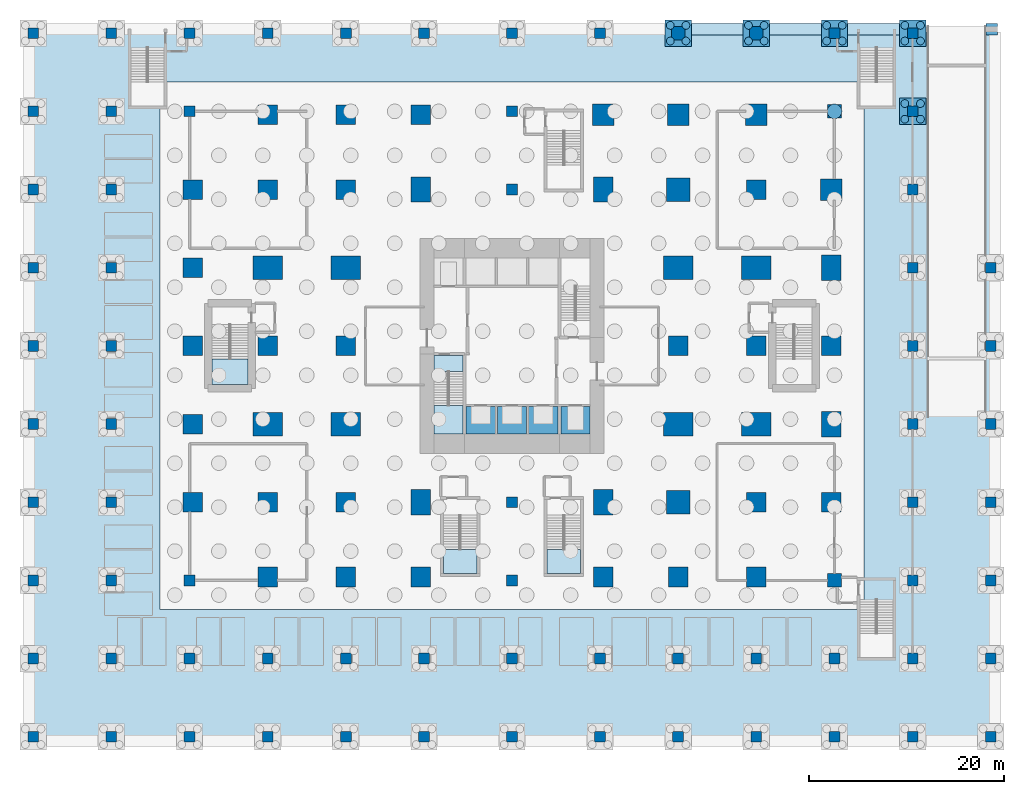
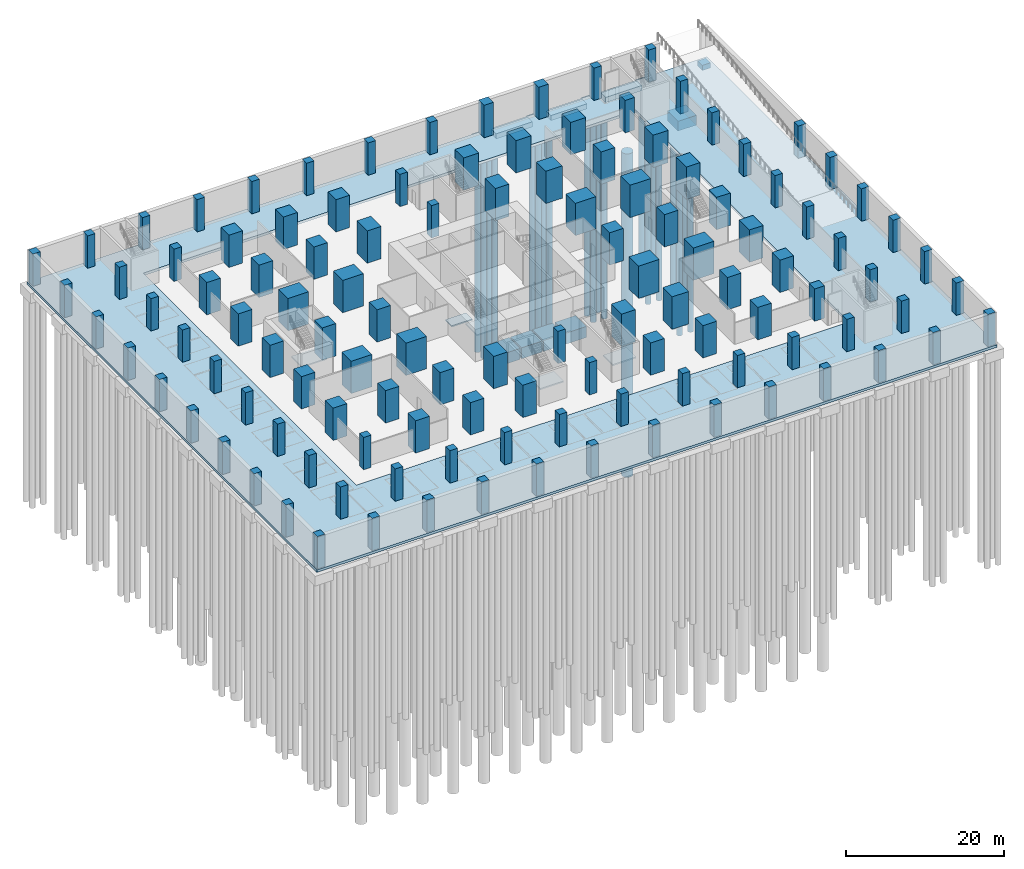
# One storey, part 3 of 17: 118 columns, 21 piles, 10 slabs, 9 footings, 4 elements without a shape of their own.
"""IFC4 building model written with IfcOpenShell, lengths in metres."""

from ifc_helpers import new_model, si_unit, direction, frame, frame_2d, origin, origin_2d, place, context, subcontext, project, spatial, polyline, rectangle, circle, outline, extrude, material, layer, layer_set, material_profile, profile_set, type_object, element, aggregate, save


model = new_model("IFC4")

# Units and contexts
model_context = context("Model", 3, precision=1e-05, world=origin(), true_north=direction((0.0, 1.0)))
body_context = subcontext(model_context, "Body", "Model", "MODEL_VIEW")
ifc_project = project(units=[si_unit("LENGTHUNIT", "METRE"), si_unit("AREAUNIT", "SQUARE_METRE"), si_unit("VOLUMEUNIT", "CUBIC_METRE"), si_unit("PLANEANGLEUNIT", "RADIAN"), si_unit("MASSUNIT", "GRAM", prefix="KILO")], contexts=[model_context])

# Site, building, storey
site_placement = place(None, origin())
site = spatial("IfcSite", under=ifc_project, at=site_placement, CompositionType="ELEMENT")
building_placement = place(site_placement, origin())
building = spatial("IfcBuilding", under=site, at=building_placement, Name="Cleftline Residences", CompositionType="ELEMENT")
storey_placement = place(building_placement, frame((0.0, 0.0, -5.0)))
storey = spatial("IfcBuildingStorey", under=building, at=storey_placement, Name="L-01", CompositionType="ELEMENT", Elevation=-5.0)

# Piles
ifc_material_1 = material(Name="Concrete B40", Category="concrete")
ifc_material_profile_1 = material_profile(ifc_material_1, circle(Radius=0.75, at=origin_2d()))
ifc_profile_set_1 = profile_set([ifc_material_profile_1], Name="Concrete B40")
pile_type_1 = type_object("IfcPileType", Name="BORED PILE 1500", PredefinedType="BORED", material=ifc_profile_set_1)
pile_placement = place(storey_placement, frame((66.0, 48.0, -3.39990234375), z_axis=(0.0, 0.0, -1.0), x_axis=(1.0, 0.0, 0.0)))
element("IfcPile", 1, at=pile_placement, inside=storey, type_object=pile_type_1, Name="Raft pile", PredefinedType="BORED", context=body_context, shape_type="SweptSolid", body=[
    extrude(circle(Radius=0.75, at=origin_2d()), origin(), (0.0, 0.0, 1.0), 50.0),
])
ifc_material_2 = material(Name="Concrete B40", Category="concrete")
ifc_material_profile_2 = material_profile(ifc_material_2, circle(Radius=0.39990234375, at=origin_2d()))
ifc_profile_set_2 = profile_set([ifc_material_profile_2], Name="Concrete B40")
pile_type_2 = type_object("IfcPileType", Name="BORED PILE 800", PredefinedType="BORED", material=ifc_profile_set_2)
for number, where, z_axis, x_axis, name in (
    (2, (49.199951171875, 55.199951171875, -1.800048828125), (0.0, 0.0, -1.0), (1.0, 0.0, 0.0), "Cap pile"),
    (3, (50.800048828125, 55.199951171875, -1.800048828125), (0.0, 0.0, -1.0), (1.0, 0.0, 0.0), "Cap pile"),
    (4, (49.199951171875, 56.800048828125, -1.800048828125), (0.0, 0.0, -1.0), (1.0, 0.0, 0.0), "Cap pile"),
    (5, (50.800048828125, 56.800048828125, -1.800048828125), (0.0, 0.0, -1.0), (1.0, 0.0, 0.0), "Cap pile"),
    (6, (57.199951171875, 55.199951171875, -1.800048828125), (0.0, 0.0, -1.0), (1.0, 0.0, 0.0), "Cap pile"),
    (7, (58.800048828125, 55.199951171875, -1.800048828125), (0.0, 0.0, -1.0), (1.0, 0.0, 0.0), "Cap pile"),
    (8, (57.199951171875, 56.800048828125, -1.800048828125), (0.0, 0.0, -1.0), (1.0, 0.0, 0.0), "Cap pile"),
    (9, (58.800048828125, 56.800048828125, -1.800048828125), (0.0, 0.0, -1.0), (1.0, 0.0, 0.0), "Cap pile"),
    (10, (65.199951171875, 55.199951171875, -1.800048828125), (0.0, 0.0, -1.0), (1.0, 0.0, 0.0), "Cap pile"),
    (11, (66.800048828125, 55.199951171875, -1.800048828125), (0.0, 0.0, -1.0), (1.0, 0.0, 0.0), "Cap pile"),
    (12, (65.199951171875, 56.800048828125, -1.800048828125), (0.0, 0.0, -1.0), (1.0, 0.0, 0.0), "Cap pile"),
    (13, (66.800048828125, 56.800048828125, -1.800048828125), (0.0, 0.0, -1.0), (1.0, 0.0, 0.0), "Cap pile"),
    (14, (73.199951171875, 47.199951171875, -1.800048828125), (0.0, 0.0, -1.0), (1.0, 0.0, 0.0), "Cap pile"),
    (15, (74.800048828125, 47.199951171875, -1.800048828125), (0.0, 0.0, -1.0), (1.0, 0.0, 0.0), "Cap pile"),
    (16, (73.199951171875, 48.800048828125, -1.800048828125), (0.0, 0.0, -1.0), (1.0, 0.0, 0.0), "Cap pile"),
    (17, (74.800048828125, 48.800048828125, -1.800048828125), (0.0, 0.0, -1.0), (1.0, 0.0, 0.0), "Cap pile"),
    (18, (73.199951171875, 55.199951171875, -1.800048828125), (0.0, 0.0, -1.0), (1.0, 0.0, 0.0), "Cap pile"),
    (19, (74.800048828125, 55.199951171875, -1.800048828125), (0.0, 0.0, -1.0), (1.0, 0.0, 0.0), "Cap pile"),
    (20, (73.199951171875, 56.800048828125, -1.800048828125), (0.0, 0.0, -1.0), (1.0, 0.0, 0.0), "Cap pile"),
    (21, (74.800048828125, 56.800048828125, -1.800048828125), (0.0, 0.0, -1.0), (1.0, 0.0, 0.0), "Cap pile"),
):
    element("IfcPile", number, at=place(storey_placement, frame(where, z_axis=z_axis, x_axis=x_axis)), inside=storey, type_object=pile_type_2, Name=name, PredefinedType="BORED", context=body_context, shape_type="SweptSolid", body=[
        extrude(circle(Radius=0.39990234375, at=origin_2d()), origin(), (0.0, 0.0, 1.0), 32.0),
    ])

# Footings
ifc_material_3 = material(Name="Concrete B40", Category="concrete")
footing_type_1 = type_object("IfcFootingType", Name="PILE CAP 2700", PredefinedType="PILE_CAP", material=ifc_material_3)
for number, where, z_axis, x_axis, name in (
    (22, (50.0, 56.0, -1.89990234375), (0.0, 0.0, 1.0), (1.0, 0.0, 0.0), "Pile cap"),
    (23, (58.0, 56.0, -1.89990234375), (0.0, 0.0, 1.0), (1.0, 0.0, 0.0), "Pile cap"),
    (24, (66.0, 56.0, -1.89990234375), (0.0, 0.0, 1.0), (1.0, 0.0, 0.0), "Pile cap"),
    (25, (74.0, 48.0, -1.89990234375), (0.0, 0.0, 1.0), (1.0, 0.0, 0.0), "Pile cap"),
    (26, (74.0, 56.0, -1.89990234375), (0.0, 0.0, 1.0), (1.0, 0.0, 0.0), "Pile cap"),
):
    element("IfcFooting", number, at=place(storey_placement, frame(where, z_axis=z_axis, x_axis=x_axis)), inside=storey, type_object=footing_type_1, Name=name, PredefinedType="PILE_CAP", context=body_context, shape_type="SweptSolid", body=[
        extrude(rectangle(XDim=2.699951171875, YDim=2.699951171875, at=origin_2d()), origin(), (0.0, 0.0, 1.0), 1.5),
    ])
ifc_material_4 = material(Name="Concrete B40", Category="concrete")
footing_type_2 = type_object("IfcFootingType", Name="STRIP FOOTING 1200", PredefinedType="STRIP_FOOTING", material=ifc_material_4)
for number, where, z_axis, x_axis, name in (
    (27, (51.35009765625, 56.39990234375, -1.199951171875), (0.0, 0.0, 1.0), (1.0, 0.0, 0.0), "Strip footing under retaining wall"),
    (28, (59.35009765625, 56.39990234375, -1.199951171875), (0.0, 0.0, 1.0), (1.0, 0.0, 0.0), "Strip footing under retaining wall"),
    (29, (67.35009765625, 56.39990234375, -1.199951171875), (0.0, 0.0, 1.0), (1.0, 0.0, 0.0), "Strip footing under retaining wall"),
):
    element("IfcFooting", number, at=place(storey_placement, frame(where, z_axis=z_axis, x_axis=x_axis)), inside=storey, type_object=footing_type_2, Name=name, PredefinedType="STRIP_FOOTING", context=body_context, shape_type="SweptSolid", body=[
        extrude(rectangle(XDim=5.2998046875, YDim=1.199951171875, at=frame_2d((2.64990234375, 0.0))), origin(), (0.0, 0.0, 1.0), 0.800048828125),
    ])
footing_placement = place(storey_placement, frame((81.5, 56.39990234375, -1.199951171875), z_axis=(0.0, 0.0, 1.0), x_axis=(1.0, 0.0, 0.0)))
element("IfcFooting", 30, at=footing_placement, inside=storey, type_object=footing_type_2, Name="Strip footing under retaining wall", PredefinedType="STRIP_FOOTING", context=body_context, shape_type="SweptSolid", body=[
    extrude(rectangle(XDim=1.199951171875, YDim=1.199951171875, at=frame_2d((0.60009765625, 0.0))), origin(), (0.0, 0.0, 1.0), 0.800048828125),
])

# Columns
ifc_material_5 = material(Name="Concrete B70", Category="concrete")
ifc_material_profile_3 = material_profile(ifc_material_5, rectangle(XDim=1.10009765625, YDim=1.10009765625, at=origin_2d()))
ifc_profile_set_3 = profile_set([ifc_material_profile_3], Name="Concrete B70")
column_type_1 = type_object("IfcColumnType", Name="COLUMN RC1100X1100", PredefinedType="COLUMN", material=ifc_profile_set_3)
for number, where, z_axis, x_axis, name in (
    (31, (-16.0, -16.0, -0.39990234375), (0.0, 0.0, 1.0), (1.0, 0.0, 0.0), "Column A/1"),
    (32, (-16.0, -8.0, -0.39990234375), (0.0, 0.0, 1.0), (1.0, 0.0, 0.0), "Column B/1"),
    (33, (-16.0, 0.0, -0.39990234375), (0.0, 0.0, 1.0), (1.0, 0.0, 0.0), "Column C/1"),
    (34, (-16.0, 8.0, -0.39990234375), (0.0, 0.0, 1.0), (1.0, 0.0, 0.0), "Column D/1"),
    (35, (-16.0, 16.0, -0.39990234375), (0.0, 0.0, 1.0), (1.0, 0.0, 0.0), "Column E/1"),
    (36, (-16.0, 24.0, -0.39990234375), (0.0, 0.0, 1.0), (1.0, 0.0, 0.0), "Column F/1"),
    (37, (-16.0, 32.0, -0.39990234375), (0.0, 0.0, 1.0), (1.0, 0.0, 0.0), "Column G/1"),
    (38, (-16.0, 40.0, -0.39990234375), (0.0, 0.0, 1.0), (1.0, 0.0, 0.0), "Column H/1"),
    (39, (-16.0, 48.0, -0.39990234375), (0.0, 0.0, 1.0), (1.0, 0.0, 0.0), "Column J/1"),
    (40, (-16.0, 56.0, -0.39990234375), (0.0, 0.0, 1.0), (1.0, 0.0, 0.0), "Column K/1"),
    (41, (-8.0, -16.0, -0.39990234375), (0.0, 0.0, 1.0), (1.0, 0.0, 0.0), "Column A/2"),
    (42, (-8.0, -8.0, -0.39990234375), (0.0, 0.0, 1.0), (1.0, 0.0, 0.0), "Column B/2"),
    (43, (-8.0, 0.0, -0.39990234375), (0.0, 0.0, 1.0), (1.0, 0.0, 0.0), "Column C/2"),
    (44, (-8.0, 8.0, -0.39990234375), (0.0, 0.0, 1.0), (1.0, 0.0, 0.0), "Column D/2"),
    (45, (-8.0, 16.0, -0.39990234375), (0.0, 0.0, 1.0), (1.0, 0.0, 0.0), "Column E/2"),
    (46, (-8.0, 24.0, -0.39990234375), (0.0, 0.0, 1.0), (1.0, 0.0, 0.0), "Column F/2"),
    (47, (-8.0, 32.0, -0.39990234375), (0.0, 0.0, 1.0), (1.0, 0.0, 0.0), "Column G/2"),
    (48, (-8.0, 40.0, -0.39990234375), (0.0, 0.0, 1.0), (1.0, 0.0, 0.0), "Column H/2"),
    (49, (-8.0, 48.0, -0.39990234375), (0.0, 0.0, 1.0), (1.0, 0.0, 0.0), "Column J/2"),
    (50, (-8.0, 56.0, -0.39990234375), (0.0, 0.0, 1.0), (1.0, 0.0, 0.0), "Column K/2"),
    (51, (0.0, -16.0, -0.39990234375), (0.0, 0.0, 1.0), (1.0, 0.0, 0.0), "Column A/3"),
    (52, (0.0, -8.0, -0.39990234375), (0.0, 0.0, 1.0), (1.0, 0.0, 0.0), "Column B/3"),
):
    element("IfcColumn", number, at=place(storey_placement, frame(where, z_axis=z_axis, x_axis=x_axis)), inside=storey, type_object=column_type_1, Name=name, PredefinedType="COLUMN", context=body_context, shape_type="SweptSolid", body=[
        extrude(rectangle(XDim=1.10009765625, YDim=1.10009765625, at=origin_2d()), origin(), (0.0, 0.0, 1.0), 5.39990234375),
    ])
for number, where, z_axis, x_axis, name in (
    (53, (0.0, 0.0, 0.0), (0.0, 0.0, 1.0), (1.0, 0.0, 0.0), "Column C/3"),
    (54, (0.0, 48.0, 0.0), (0.0, 0.0, 1.0), (1.0, 0.0, 0.0), "Column J/3"),
):
    element("IfcColumn", number, at=place(storey_placement, frame(where, z_axis=z_axis, x_axis=x_axis)), inside=storey, type_object=column_type_1, Name=name, PredefinedType="COLUMN", context=body_context, shape_type="SweptSolid", body=[
        extrude(rectangle(XDim=1.10009765625, YDim=1.10009765625, at=origin_2d()), origin(), (0.0, 0.0, 1.0), 5.0),
    ])
for number, where, z_axis, x_axis, name in (
    (55, (0.0, 56.0, -0.39990234375), (0.0, 0.0, 1.0), (1.0, 0.0, 0.0), "Column K/3"),
    (56, (8.0, -16.0, -0.39990234375), (0.0, 0.0, 1.0), (1.0, 0.0, 0.0), "Column A/4"),
    (57, (8.0, -8.0, -0.39990234375), (0.0, 0.0, 1.0), (1.0, 0.0, 0.0), "Column B/4"),
    (58, (8.0, 56.0, -0.39990234375), (0.0, 0.0, 1.0), (1.0, 0.0, 0.0), "Column K/4"),
    (59, (16.0, -16.0, -0.39990234375), (0.0, 0.0, 1.0), (1.0, 0.0, 0.0), "Column A/5"),
    (60, (16.0, -8.0, -0.39990234375), (0.0, 0.0, 1.0), (1.0, 0.0, 0.0), "Column B/5"),
    (61, (16.0, 56.0, -0.39990234375), (0.0, 0.0, 1.0), (1.0, 0.0, 0.0), "Column K/5"),
    (62, (24.0, -16.0, -0.39990234375), (0.0, 0.0, 1.0), (1.0, 0.0, 0.0), "Column A/6"),
    (63, (24.0, -8.0, -0.39990234375), (0.0, 0.0, 1.0), (1.0, 0.0, 0.0), "Column B/6"),
    (64, (24.0, 56.0, -0.39990234375), (0.0, 0.0, 1.0), (1.0, 0.0, 0.0), "Column K/6"),
    (65, (33.0, -16.0, -0.39990234375), (0.0, 0.0, 1.0), (1.0, 0.0, 0.0), "Column A/7"),
    (66, (33.0, -8.0, -0.39990234375), (0.0, 0.0, 1.0), (1.0, 0.0, 0.0), "Column B/7"),
):
    element("IfcColumn", number, at=place(storey_placement, frame(where, z_axis=z_axis, x_axis=x_axis)), inside=storey, type_object=column_type_1, Name=name, PredefinedType="COLUMN", context=body_context, shape_type="SweptSolid", body=[
        extrude(rectangle(XDim=1.10009765625, YDim=1.10009765625, at=origin_2d()), origin(), (0.0, 0.0, 1.0), 5.39990234375),
    ])
for number, where, z_axis, x_axis, name in (
    (67, (33.0, 0.0, 0.0), (0.0, 0.0, 1.0), (1.0, 0.0, 0.0), "Column C/7"),
    (68, (33.0, 8.0, 0.0), (0.0, 0.0, 1.0), (1.0, 0.0, 0.0), "Column D/7"),
    (69, (33.0, 40.0, 0.0), (0.0, 0.0, 1.0), (1.0, 0.0, 0.0), "Column H/7"),
    (70, (33.0, 48.0, 0.0), (0.0, 0.0, 1.0), (1.0, 0.0, 0.0), "Column J/7"),
):
    element("IfcColumn", number, at=place(storey_placement, frame(where, z_axis=z_axis, x_axis=x_axis)), inside=storey, type_object=column_type_1, Name=name, PredefinedType="COLUMN", context=body_context, shape_type="SweptSolid", body=[
        extrude(rectangle(XDim=1.10009765625, YDim=1.10009765625, at=origin_2d()), origin(), (0.0, 0.0, 1.0), 5.0),
    ])
for number, where, z_axis, x_axis, name in (
    (71, (33.0, 56.0, -0.39990234375), (0.0, 0.0, 1.0), (1.0, 0.0, 0.0), "Column K/7"),
    (72, (42.0, -16.0, -0.39990234375), (0.0, 0.0, 1.0), (1.0, 0.0, 0.0), "Column A/8"),
    (73, (42.0, -8.0, -0.39990234375), (0.0, 0.0, 1.0), (1.0, 0.0, 0.0), "Column B/8"),
    (74, (42.0, 56.0, -0.39990234375), (0.0, 0.0, 1.0), (1.0, 0.0, 0.0), "Column K/8"),
    (75, (50.0, -16.0, -0.39990234375), (0.0, 0.0, 1.0), (1.0, 0.0, 0.0), "Column A/9"),
    (76, (50.0, -8.0, -0.39990234375), (0.0, 0.0, 1.0), (1.0, 0.0, 0.0), "Column B/9"),
    (77, (58.0, -16.0, -0.39990234375), (0.0, 0.0, 1.0), (1.0, 0.0, 0.0), "Column A/10"),
    (78, (58.0, -8.0, -0.39990234375), (0.0, 0.0, 1.0), (1.0, 0.0, 0.0), "Column B/10"),
    (79, (66.0, -16.0, -0.39990234375), (0.0, 0.0, 1.0), (1.0, 0.0, 0.0), "Column A/11"),
    (80, (66.0, -8.0, -0.39990234375), (0.0, 0.0, 1.0), (1.0, 0.0, 0.0), "Column B/11"),
    (81, (66.0, 56.0, -0.39990234375), (0.0, 0.0, 1.0), (1.0, 0.0, 0.0), "Column K/11"),
    (82, (74.0, -16.0, -0.39990234375), (0.0, 0.0, 1.0), (1.0, 0.0, 0.0), "Column A/12"),
    (83, (74.0, -8.0, -0.39990234375), (0.0, 0.0, 1.0), (1.0, 0.0, 0.0), "Column B/12"),
    (84, (74.0, 0.0, -0.39990234375), (0.0, 0.0, 1.0), (1.0, 0.0, 0.0), "Column C/12"),
    (85, (74.0, 8.0, -0.39990234375), (0.0, 0.0, 1.0), (1.0, 0.0, 0.0), "Column D/12"),
    (86, (74.0, 16.0, -0.39990234375), (0.0, 0.0, 1.0), (1.0, 0.0, 0.0), "Column E/12"),
    (87, (74.0, 24.0, -0.39990234375), (0.0, 0.0, 1.0), (1.0, 0.0, 0.0), "Column F/12"),
    (88, (74.0, 32.0, -0.39990234375), (0.0, 0.0, 1.0), (1.0, 0.0, 0.0), "Column G/12"),
    (89, (74.0, 40.0, -0.39990234375), (0.0, 0.0, 1.0), (1.0, 0.0, 0.0), "Column H/12"),
    (90, (74.0, 48.0, -0.39990234375), (0.0, 0.0, 1.0), (1.0, 0.0, 0.0), "Column J/12"),
    (91, (74.0, 56.0, -0.39990234375), (0.0, 0.0, 1.0), (1.0, 0.0, 0.0), "Column K/12"),
    (92, (82.0, -16.0, -0.39990234375), (0.0, 0.0, 1.0), (1.0, 0.0, 0.0), "Column A/13"),
    (93, (82.0, -8.0, -0.39990234375), (0.0, 0.0, 1.0), (1.0, 0.0, 0.0), "Column B/13"),
    (94, (82.0, 0.0, -0.39990234375), (0.0, 0.0, 1.0), (1.0, 0.0, 0.0), "Column C/13"),
    (95, (82.0, 8.0, -0.39990234375), (0.0, 0.0, 1.0), (1.0, 0.0, 0.0), "Column D/13"),
    (96, (82.0, 16.0, -0.39990234375), (0.0, 0.0, 1.0), (1.0, 0.0, 0.0), "Column E/13"),
    (97, (82.0, 24.0, -0.39990234375), (0.0, 0.0, 1.0), (1.0, 0.0, 0.0), "Column F/13"),
    (98, (82.0, 32.0, -0.39990234375), (0.0, 0.0, 1.0), (1.0, 0.0, 0.0), "Column G/13"),
):
    element("IfcColumn", number, at=place(storey_placement, frame(where, z_axis=z_axis, x_axis=x_axis)), inside=storey, type_object=column_type_1, Name=name, PredefinedType="COLUMN", context=body_context, shape_type="SweptSolid", body=[
        extrude(rectangle(XDim=1.10009765625, YDim=1.10009765625, at=origin_2d()), origin(), (0.0, 0.0, 1.0), 5.39990234375),
    ])
ifc_material_6 = material(Name="Concrete B70", Category="concrete")
ifc_material_profile_4 = material_profile(ifc_material_6, rectangle(XDim=1.39990234375, YDim=1.39990234375, at=origin_2d()))
ifc_profile_set_4 = profile_set([ifc_material_profile_4], Name="Concrete B70")
column_type_2 = type_object("IfcColumnType", Name="COLUMN RC1400X1400", PredefinedType="COLUMN", material=ifc_profile_set_4)
for number, where, z_axis, x_axis, name in (
    (99, (50.0, 56.0, -0.39990234375), (0.0, 0.0, 1.0), (1.0, 0.0, 0.0), "Column K/9"),
    (100, (58.0, 56.0, -0.39990234375), (0.0, 0.0, 1.0), (1.0, 0.0, 0.0), "Column K/10"),
):
    element("IfcColumn", number, at=place(storey_placement, frame(where, z_axis=z_axis, x_axis=x_axis)), inside=storey, type_object=column_type_2, Name=name, PredefinedType="COLUMN", context=body_context, shape_type="SweptSolid", body=[
        extrude(rectangle(XDim=1.39990234375, YDim=1.39990234375, at=origin_2d()), origin(), (0.0, 0.0, 1.0), 5.39990234375),
    ])
for number, where, z_axis, x_axis, name in (
    (101, (66.0, 0.0, 0.0), (0.0, 0.0, 1.0), (1.0, 0.0, 0.0), "Column C/11"),
    (102, (66.0, 48.0, 0.0), (0.0, 0.0, 1.0), (1.0, 0.0, 0.0), "Column J/11"),
):
    element("IfcColumn", number, at=place(storey_placement, frame(where, z_axis=z_axis, x_axis=x_axis)), inside=storey, type_object=column_type_2, Name=name, PredefinedType="COLUMN", context=body_context, shape_type="SweptSolid", body=[
        extrude(rectangle(XDim=1.39990234375, YDim=1.39990234375, at=origin_2d()), origin(), (0.0, 0.0, 1.0), 5.0),
    ])
ifc_material_7 = material(Name="Concrete B70", Category="concrete")
ifc_material_profile_5 = material_profile(ifc_material_7, rectangle(XDim=2.0, YDim=2.0, at=origin_2d()))
ifc_profile_set_5 = profile_set([ifc_material_profile_5], Name="Concrete B70")
column_type_3 = type_object("IfcColumnType", Name="COLUMN RC2000X2000", PredefinedType="COLUMN", material=ifc_profile_set_5)
for number, where, z_axis, x_axis, name in (
    (103, (0.35009765625, 8.0, 0.0), (0.0, 0.0, 1.0), (1.0, 0.0, 0.0), "Column D/3"),
    (104, (0.35009765625, 16.0, 0.0), (0.0, 0.0, 1.0), (1.0, 0.0, 0.0), "Column E/3"),
    (105, (0.35009765625, 24.0, 0.0), (0.0, 0.0, 1.0), (1.0, 0.0, 0.0), "Column F/3"),
    (106, (0.35009765625, 32.0, 0.0), (0.0, 0.0, 1.0), (1.0, 0.0, 0.0), "Column G/3"),
    (107, (0.35009765625, 40.0, 0.0), (0.0, 0.0, 1.0), (1.0, 0.0, 0.0), "Column H/3"),
    (108, (8.0, 0.35009765625, 0.0), (0.0, 0.0, 1.0), (1.0, 0.0, 0.0), "Column C/4"),
    (109, (8.0, 8.0, 0.0), (0.0, 0.0, 1.0), (1.0, 0.0, 0.0), "Column D/4"),
    (110, (8.0, 24.0, 0.0), (0.0, 0.0, 1.0), (1.0, 0.0, 0.0), "Column F/4"),
    (111, (8.0, 40.0, 0.0), (0.0, 0.0, 1.0), (1.0, 0.0, 0.0), "Column H/4"),
    (112, (8.0, 47.64990234375, 0.0), (0.0, 0.0, 1.0), (1.0, 0.0, 0.0), "Column J/4"),
    (113, (16.0, 0.35009765625, 0.0), (0.0, 0.0, 1.0), (1.0, 0.0, 0.0), "Column C/5"),
    (114, (16.0, 8.0, 0.0), (0.0, 0.0, 1.0), (1.0, 0.0, 0.0), "Column D/5"),
    (115, (16.0, 24.0, 0.0), (0.0, 0.0, 1.0), (1.0, 0.0, 0.0), "Column F/5"),
    (116, (16.0, 40.0, 0.0), (0.0, 0.0, 1.0), (1.0, 0.0, 0.0), "Column H/5"),
    (117, (16.0, 47.64990234375, 0.0), (0.0, 0.0, 1.0), (1.0, 0.0, 0.0), "Column J/5"),
    (118, (23.64990234375, 0.35009765625, 0.0), (0.0, 0.0, 1.0), (1.0, 0.0, 0.0), "Column C/6"),
    (119, (23.64990234375, 47.64990234375, 0.0), (0.0, 0.0, 1.0), (1.0, 0.0, 0.0), "Column J/6"),
    (120, (42.35009765625, 0.35009765625, 0.0), (0.0, 0.0, 1.0), (1.0, 0.0, 0.0), "Column C/8"),
    (121, (50.0, 0.35009765625, 0.0), (0.0, 0.0, 1.0), (1.0, 0.0, 0.0), "Column C/9"),
    (122, (50.0, 24.0, 0.0), (0.0, 0.0, 1.0), (1.0, 0.0, 0.0), "Column F/9"),
    (123, (58.0, 0.35009765625, 0.0), (0.0, 0.0, 1.0), (1.0, 0.0, 0.0), "Column C/10"),
    (124, (58.0, 8.0, 0.0), (0.0, 0.0, 1.0), (1.0, 0.0, 0.0), "Column D/10"),
    (125, (58.0, 24.0, 0.0), (0.0, 0.0, 1.0), (1.0, 0.0, 0.0), "Column F/10"),
    (126, (58.0, 40.0, 0.0), (0.0, 0.0, 1.0), (1.0, 0.0, 0.0), "Column H/10"),
    (127, (65.64990234375, 8.0, 0.0), (0.0, 0.0, 1.0), (1.0, 0.0, 0.0), "Column D/11"),
    (128, (65.64990234375, 24.0, 0.0), (0.0, 0.0, 1.0), (1.0, 0.0, 0.0), "Column F/11"),
):
    element("IfcColumn", number, at=place(storey_placement, frame(where, z_axis=z_axis, x_axis=x_axis)), inside=storey, type_object=column_type_3, Name=name, PredefinedType="COLUMN", context=body_context, shape_type="SweptSolid", body=[
        extrude(rectangle(XDim=2.0, YDim=2.0, at=origin_2d()), origin(), (0.0, 0.0, 1.0), 5.0),
    ])
ifc_material_8 = material(Name="Concrete B70", Category="concrete")
ifc_material_profile_6 = material_profile(ifc_material_8, rectangle(XDim=2.0, YDim=2.60009765625, at=origin_2d()))
ifc_profile_set_6 = profile_set([ifc_material_profile_6], Name="Concrete B70")
column_type_4 = type_object("IfcColumnType", Name="COLUMN RC2000X2600", PredefinedType="COLUMN", material=ifc_profile_set_6)
for number, where, z_axis, x_axis, name in (
    (129, (23.64990234375, 8.0, 0.0), (0.0, 0.0, 1.0), (1.0, 0.0, 0.0), "Column D/6"),
    (130, (23.64990234375, 40.0, 0.0), (0.0, 0.0, 1.0), (1.0, 0.0, 0.0), "Column H/6"),
    (131, (42.35009765625, 8.0, 0.0), (0.0, 0.0, 1.0), (1.0, 0.0, 0.0), "Column D/8"),
    (132, (42.35009765625, 40.0, 0.0), (0.0, 0.0, 1.0), (1.0, 0.0, 0.0), "Column H/8"),
):
    element("IfcColumn", number, at=place(storey_placement, frame(where, z_axis=z_axis, x_axis=x_axis)), inside=storey, type_object=column_type_4, Name=name, PredefinedType="COLUMN", context=body_context, shape_type="SweptSolid", body=[
        extrude(rectangle(XDim=2.0, YDim=2.60009765625, at=origin_2d()), origin(), (0.0, 0.0, 1.0), 5.0),
    ])
ifc_material_9 = material(Name="Concrete B70", Category="concrete")
ifc_material_profile_7 = material_profile(ifc_material_9, rectangle(XDim=2.199951171875, YDim=2.199951171875, at=origin_2d()))
ifc_profile_set_7 = profile_set([ifc_material_profile_7], Name="Concrete B70")
column_type_5 = type_object("IfcColumnType", Name="COLUMN RC2200X2200", PredefinedType="COLUMN", material=ifc_profile_set_7)
for number, where, z_axis, x_axis, name in (
    (133, (42.35009765625, 47.64990234375, 0.0), (0.0, 0.0, 1.0), (1.0, 0.0, 0.0), "Column J/8"),
    (134, (50.0, 47.64990234375, 0.0), (0.0, 0.0, 1.0), (1.0, 0.0, 0.0), "Column J/9"),
    (135, (58.0, 47.64990234375, 0.0), (0.0, 0.0, 1.0), (1.0, 0.0, 0.0), "Column J/10"),
    (136, (65.64990234375, 40.0, 0.0), (0.0, 0.0, 1.0), (1.0, 0.0, 0.0), "Column H/11"),
):
    element("IfcColumn", number, at=place(storey_placement, frame(where, z_axis=z_axis, x_axis=x_axis)), inside=storey, type_object=column_type_5, Name=name, PredefinedType="COLUMN", context=body_context, shape_type="SweptSolid", body=[
        extrude(rectangle(XDim=2.199951171875, YDim=2.199951171875, at=origin_2d()), origin(), (0.0, 0.0, 1.0), 5.0),
    ])
ifc_material_10 = material(Name="Concrete B70", Category="concrete")
ifc_material_profile_8 = material_profile(ifc_material_10, rectangle(XDim=2.39990234375, YDim=2.39990234375, at=origin_2d()))
ifc_profile_set_8 = profile_set([ifc_material_profile_8], Name="Concrete B70")
column_type_6 = type_object("IfcColumnType", Name="COLUMN RC2400X2400", PredefinedType="COLUMN", material=ifc_profile_set_8)
for number, where, z_axis, x_axis, name in (
    (137, (50.0, 8.0, 0.0), (0.0, 0.0, 1.0), (1.0, 0.0, 0.0), "Column D/9"),
    (138, (50.0, 40.0, 0.0), (0.0, 0.0, 1.0), (1.0, 0.0, 0.0), "Column H/9"),
):
    element("IfcColumn", number, at=place(storey_placement, frame(where, z_axis=z_axis, x_axis=x_axis)), inside=storey, type_object=column_type_6, Name=name, PredefinedType="COLUMN", context=body_context, shape_type="SweptSolid", body=[
        extrude(rectangle(XDim=2.39990234375, YDim=2.39990234375, at=origin_2d()), origin(), (0.0, 0.0, 1.0), 5.0),
    ])
ifc_material_11 = material(Name="Concrete B70", Category="concrete")
ifc_material_profile_9 = material_profile(ifc_material_11, rectangle(XDim=2.60009765625, YDim=2.0, at=origin_2d()))
ifc_profile_set_9 = profile_set([ifc_material_profile_9], Name="Concrete B70")
column_type_7 = type_object("IfcColumnType", Name="COLUMN RC2600X2000", PredefinedType="COLUMN", material=ifc_profile_set_9)
for number, where, z_axis, x_axis, name in (
    (139, (65.64990234375, 16.0, 0.0), (0.0, 0.0, 1.0), (0.0, 1.0, 0.0), "Column E/11"),
    (140, (65.64990234375, 32.0, 0.0), (0.0, 0.0, 1.0), (0.0, 1.0, 0.0), "Column G/11"),
):
    element("IfcColumn", number, at=place(storey_placement, frame(where, z_axis=z_axis, x_axis=x_axis)), inside=storey, type_object=column_type_7, Name=name, PredefinedType="COLUMN", context=body_context, shape_type="SweptSolid", body=[
        extrude(rectangle(XDim=2.60009765625, YDim=2.0, at=origin_2d()), origin(), (0.0, 0.0, 1.0), 5.0),
    ])
ifc_material_12 = material(Name="Concrete B70", Category="concrete")
ifc_material_profile_10 = material_profile(ifc_material_12, rectangle(XDim=3.0, YDim=2.39990234375, at=origin_2d()))
ifc_profile_set_10 = profile_set([ifc_material_profile_10], Name="Concrete B70")
column_type_8 = type_object("IfcColumnType", Name="COLUMN RC3000X2400", PredefinedType="COLUMN", material=ifc_profile_set_10)
for number, where, z_axis, x_axis, name in (
    (141, (8.0, 16.0, 0.0), (0.0, 0.0, 1.0), (1.0, 0.0, 0.0), "Column E/4"),
    (142, (8.0, 32.0, 0.0), (0.0, 0.0, 1.0), (1.0, 0.0, 0.0), "Column G/4"),
    (143, (16.0, 16.0, 0.0), (0.0, 0.0, 1.0), (1.0, 0.0, 0.0), "Column E/5"),
    (144, (16.0, 32.0, 0.0), (0.0, 0.0, 1.0), (1.0, 0.0, 0.0), "Column G/5"),
    (145, (50.0, 16.0, 0.0), (0.0, 0.0, 1.0), (1.0, 0.0, 0.0), "Column E/9"),
    (146, (50.0, 32.0, 0.0), (0.0, 0.0, 1.0), (1.0, 0.0, 0.0), "Column G/9"),
    (147, (58.0, 16.0, 0.0), (0.0, 0.0, 1.0), (1.0, 0.0, 0.0), "Column E/10"),
    (148, (58.0, 32.0, 0.0), (0.0, 0.0, 1.0), (1.0, 0.0, 0.0), "Column G/10"),
):
    element("IfcColumn", number, at=place(storey_placement, frame(where, z_axis=z_axis, x_axis=x_axis)), inside=storey, type_object=column_type_8, Name=name, PredefinedType="COLUMN", context=body_context, shape_type="SweptSolid", body=[
        extrude(rectangle(XDim=3.0, YDim=2.39990234375, at=origin_2d()), origin(), (0.0, 0.0, 1.0), 5.0),
    ])

# Slabs
ifc_material_13 = material(Name="Concrete B40", Category="concrete")
ifc_layer_1 = layer(ifc_material_13, 0.39990234375)
ifc_layer_set_1 = layer_set([ifc_layer_1], Name="BASE SLAB 400")
slab_type_1 = type_object("IfcSlabType", Name="BASE SLAB 400", PredefinedType="BASESLAB", material=ifc_layer_set_1)
slab_1_placement = place(storey_placement, frame((0.0, 0.0, -0.39990234375)))
element("IfcSlab", 149, at=slab_1_placement, inside=storey, type_object=slab_type_1, Name="Basement slab", PredefinedType="BASESLAB", context=body_context, shape_type="SweptSolid", body=[
    extrude(outline(polyline([(82.699951171875, 56.699951171875), (-16.699951171875, 56.699951171875), (-16.699951171875, -16.699951171875), (82.699951171875, -16.699951171875), (82.699951171875, 56.699951171875)]), holes=[polyline([(69.0, -3.0), (69.0, 51.0), (-3.0, 51.0), (-3.0, -3.0), (69.0, -3.0)])]), origin(), (0.0, 0.0, 1.0), 0.39990234375),
])
ifc_material_14 = material(Name="Concrete B40", Category="concrete")
ifc_layer_2 = layer(ifc_material_14, 1.699951171875)
ifc_layer_set_2 = layer_set([ifc_layer_2], Name="LIFT PIT SLAB")
slab_type_2 = type_object("IfcSlabType", Name="LIFT PIT SLAB", PredefinedType="BASESLAB", material=ifc_layer_set_2)
slab_2_placement = place(storey_placement, frame((0.0, 0.0, -3.5)))
element("IfcSlab", 150, at=slab_2_placement, inside=storey, type_object=slab_type_2, Name="Lift pit base FL2", PredefinedType="BASESLAB", context=body_context, shape_type="SweptSolid", body=[
    extrude(outline(polyline([(41.0, 15.0), (41.0, 17.800048828125), (38.0, 17.800048828125), (38.0, 15.0), (41.0, 15.0)])), origin(), (0.0, 0.0, 1.0), 1.699951171875),
])
slab_3_placement = place(storey_placement, frame((0.0, 0.0, -3.5)))
element("IfcSlab", 151, at=slab_3_placement, inside=storey, type_object=slab_type_2, Name="Lift pit base P1", PredefinedType="BASESLAB", context=body_context, shape_type="SweptSolid", body=[
    extrude(outline(polyline([(31.300048828125, 15.0), (31.300048828125, 17.800048828125), (28.300048828125, 17.800048828125), (28.300048828125, 15.0), (31.300048828125, 15.0)])), origin(), (0.0, 0.0, 1.0), 1.699951171875),
])
slab_4_placement = place(storey_placement, frame((0.0, 0.0, -3.5)))
element("IfcSlab", 152, at=slab_4_placement, inside=storey, type_object=slab_type_2, Name="Lift pit base P2", PredefinedType="BASESLAB", context=body_context, shape_type="SweptSolid", body=[
    extrude(outline(polyline([(34.5, 15.0), (34.5, 17.800048828125), (31.5, 17.800048828125), (31.5, 15.0), (34.5, 15.0)])), origin(), (0.0, 0.0, 1.0), 1.699951171875),
])
slab_5_placement = place(storey_placement, frame((0.0, 0.0, -3.5)))
element("IfcSlab", 153, at=slab_5_placement, inside=storey, type_object=slab_type_2, Name="Lift pit base P3", PredefinedType="BASESLAB", context=body_context, shape_type="SweptSolid", body=[
    extrude(outline(polyline([(37.699951171875, 15.0), (37.699951171875, 17.800048828125), (34.699951171875, 17.800048828125), (34.699951171875, 15.0), (37.699951171875, 15.0)])), origin(), (0.0, 0.0, 1.0), 1.699951171875),
])

# Stair, slabs
ifc_material_15 = material(Name="Concrete B45, stone treads", Category="masonry")
stair_type_1 = type_object("IfcStairType", Name="STAIR A 1450 WIDE 179 RISER", PredefinedType="HALF_TURN_STAIR", material=ifc_material_15)
stair_1_placement = place(storey_placement, origin())
stair_1 = element("IfcStair", 154, at=stair_1_placement, inside=storey, type_object=stair_type_1, Name="Stair A L-01", PredefinedType="HALF_TURN_STAIR")
ifc_material_16 = material(Name="Concrete B45", Category="concrete")
ifc_layer_3 = layer(ifc_material_16, 0.199951171875)
ifc_layer_set_3 = layer_set([ifc_layer_3], Name="STAIR LANDING 200")
slab_type_3 = type_object("IfcSlabType", Name="STAIR LANDING 200", PredefinedType="LANDING", material=ifc_layer_set_3)
slab_6_placement = place(storey_placement, frame((0.0, 0.0, -0.199951171875)))
slab_6 = element("IfcSlab", 155, at=slab_6_placement, type_object=slab_type_3, Name="ST-A landing 1", PredefinedType="LANDING", context=body_context, shape_type="SweptSolid", body=[
    extrude(outline(polyline([(25.0, 21.39990234375), (28.0, 21.39990234375), (28.0, 23.0), (25.0, 23.0), (25.0, 21.39990234375)])), origin(), (0.0, 0.0, 1.0), 0.199951171875),
])
slab_7_placement = place(storey_placement, frame((0.0, 0.0, 2.300048828125)))
slab_7 = element("IfcSlab", 156, at=slab_7_placement, type_object=slab_type_3, Name="ST-A landing 2", PredefinedType="LANDING", context=body_context, shape_type="SweptSolid", body=[
    extrude(outline(polyline([(25.0, 15.0), (28.0, 15.0), (28.0, 17.889892578125), (25.0, 17.889892578125), (25.0, 15.0)])), origin(), (0.0, 0.0, 1.0), 0.199951171875),
])
aggregate(stair_1, [slab_6, slab_7])

# Stair, slab
ifc_material_17 = material(Name="Concrete B45, stone treads", Category="masonry")
stair_type_2 = type_object("IfcStairType", Name="STAIR C 1630 WIDE 179 RISER", PredefinedType="HALF_TURN_STAIR", material=ifc_material_17)
stair_2_placement = place(storey_placement, origin())
stair_2 = element("IfcStair", 157, at=stair_2_placement, inside=storey, type_object=stair_type_2, Name="Stair C L-01", PredefinedType="HALF_TURN_STAIR")
slab_8_placement = place(storey_placement, frame((0.0, 0.0, 2.300048828125)))
slab_8 = element("IfcSlab", 158, at=slab_8_placement, type_object=slab_type_3, Name="ST-C landing 1", PredefinedType="LANDING", context=body_context, shape_type="SweptSolid", body=[
    extrude(outline(polyline([(26.0, 0.699951171875), (29.39990234375, 0.699951171875), (29.39990234375, 3.159912109375), (26.0, 3.159912109375), (26.0, 0.699951171875)])), origin(), (0.0, 0.0, 1.0), 0.199951171875),
])
aggregate(stair_2, [slab_8])

ifc_material_18 = material(Name="Concrete B45, stone treads", Category="masonry")
stair_type_3 = type_object("IfcStairType", Name="STAIR C2 1630 WIDE 179 RISER", PredefinedType="HALF_TURN_STAIR", material=ifc_material_18)
stair_3_placement = place(storey_placement, origin())
stair_3 = element("IfcStair", 159, at=stair_3_placement, inside=storey, type_object=stair_type_3, Name="Stair C2 L-01", PredefinedType="HALF_TURN_STAIR")
slab_9_placement = place(storey_placement, frame((0.0, 0.0, 2.300048828125)))
slab_9 = element("IfcSlab", 160, at=slab_9_placement, type_object=slab_type_3, Name="ST-C2 landing 1", PredefinedType="LANDING", context=body_context, shape_type="SweptSolid", body=[
    extrude(outline(polyline([(36.60009765625, 0.699951171875), (40.0, 0.699951171875), (40.0, 3.159912109375), (36.60009765625, 3.159912109375), (36.60009765625, 0.699951171875)])), origin(), (0.0, 0.0, 1.0), 0.199951171875),
])
aggregate(stair_3, [slab_9])

ifc_material_19 = material(Name="Concrete B45, stone treads", Category="masonry")
stair_type_4 = type_object("IfcStairType", Name="STAIR W 1800 WIDE 179 RISER", PredefinedType="HALF_TURN_STAIR", material=ifc_material_19)
stair_4_placement = place(storey_placement, origin())
stair_4 = element("IfcStair", 161, at=stair_4_placement, inside=storey, type_object=stair_type_4, Name="Stair W L-01", PredefinedType="HALF_TURN_STAIR")
slab_10_placement = place(storey_placement, frame((0.0, 0.0, 2.300048828125)))
slab_10 = element("IfcSlab", 162, at=slab_10_placement, type_object=slab_type_3, Name="ST-W landing 1", PredefinedType="LANDING", context=body_context, shape_type="SweptSolid", body=[
    extrude(outline(polyline([(2.27490234375, 20.02490234375), (5.97509765625, 20.02490234375), (5.97509765625, 22.6650390625), (2.27490234375, 22.6650390625), (2.27490234375, 20.02490234375)])), origin(), (0.0, 0.0, 1.0), 0.199951171875),
])
aggregate(stair_4, [slab_10])

save(model, "model.ifc")
